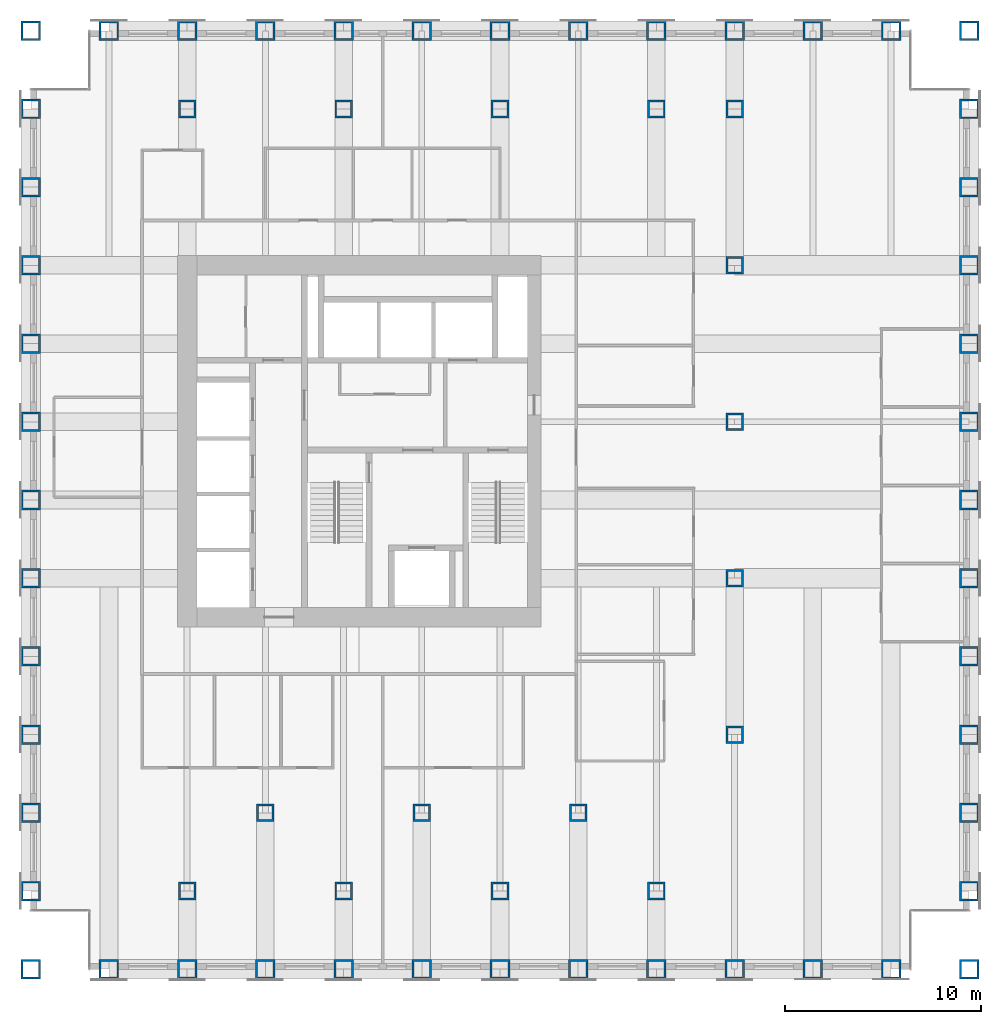
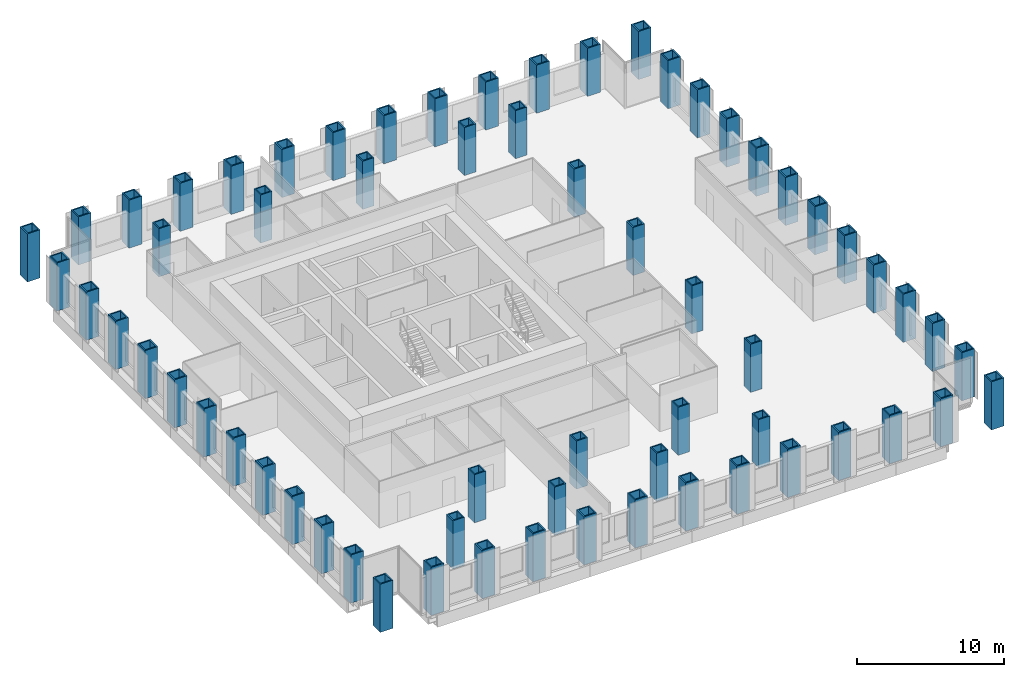
# One storey, part 1 of 16: 64 columns.
"""IFC4 building model written with IfcOpenShell, lengths in metres."""

from ifc_helpers import new_model, si_unit, direction, frame, origin, origin_2d, place, context, subcontext, project, spatial, hollow_rectangle, extrude, material, material_profile, profile_set, type_object, element, save


model = new_model("IFC4")

# Units and contexts
model_context = context("Model", 3, precision=1e-05, world=origin(), true_north=direction((0.0, 1.0)))
body_context = subcontext(model_context, "Body", "Model", "MODEL_VIEW")
ifc_project = project(units=[si_unit("LENGTHUNIT", "METRE"), si_unit("AREAUNIT", "SQUARE_METRE"), si_unit("VOLUMEUNIT", "CUBIC_METRE"), si_unit("PLANEANGLEUNIT", "RADIAN"), si_unit("MASSUNIT", "GRAM", prefix="KILO")], contexts=[model_context])

# Site, building, storey
site_placement = place(None, origin())
site = spatial("IfcSite", under=ifc_project, at=site_placement, CompositionType="ELEMENT")
building_placement = place(site_placement, origin())
building = spatial("IfcBuilding", under=site, at=building_placement, Name="Rimbunsela Tower", CompositionType="ELEMENT")
storey_placement = place(building_placement, frame((0.0, 0.0, 85.39990234375)))
storey = spatial("IfcBuildingStorey", under=building, at=storey_placement, Name="L20", CompositionType="ELEMENT", Elevation=85.39990234375)

# Columns
ifc_material_1 = material(Name="Steel BJ 55 (fy 410 MPa)", Category="steel")
ifc_material_profile_1 = material_profile(ifc_material_1, hollow_rectangle(XDim=1.0, YDim=1.0, WallThickness=0.10009765625, at=origin_2d()), Name="BOX 1000x1000x100")
ifc_profile_set_1 = profile_set([ifc_material_profile_1], Name="Steel BJ 55 (fy 410 MPa)")
column_type_1 = type_object("IfcColumnType", Name="Column BOX 1000x1000x100", PredefinedType="COLUMN", material=ifc_profile_set_1)
for number, where, z_axis, x_axis, name in (
    (1, (10.0, 0.0, 0.0), (0.0, 0.0, 1.0), (1.0, 0.0, 0.0), "Column C1 5/B L20"),
    (2, (10.0, 4.0, 0.0), (0.0, 0.0, 1.0), (1.0, 0.0, 0.0), "Column C1 5/C L20"),
    (3, (10.0, 8.0, 0.0), (0.0, 0.0, 1.0), (1.0, 0.0, 0.0), "Column C1 5/D L20"),
    (4, (10.0, 12.0, 0.0), (0.0, 0.0, 1.0), (1.0, 0.0, 0.0), "Column C1 5/E L20"),
    (5, (10.0, 16.0, 0.0), (0.0, 0.0, 1.0), (1.0, 0.0, 0.0), "Column C1 5/F L20"),
    (6, (10.0, 20.0, 0.0), (0.0, 0.0, 1.0), (1.0, 0.0, 0.0), "Column C1 5/G L20"),
    (7, (10.0, 24.0, 0.0), (0.0, 0.0, 1.0), (1.0, 0.0, 0.0), "Column C1 5/H L20"),
    (8, (10.0, 28.0, 0.0), (0.0, 0.0, 1.0), (1.0, 0.0, 0.0), "Column C1 5/J L20"),
    (9, (10.0, 32.0, 0.0), (0.0, 0.0, 1.0), (1.0, 0.0, 0.0), "Column C1 5/K L20"),
    (10, (10.0, 36.0, 0.0), (0.0, 0.0, 1.0), (1.0, 0.0, 0.0), "Column C1 5/L L20"),
    (11, (10.0, 40.0, 0.0), (0.0, 0.0, 1.0), (1.0, 0.0, 0.0), "Column C1 5/M L20"),
    (12, (10.0, 44.0, 0.0), (0.0, 0.0, 1.0), (1.0, 0.0, 0.0), "Column C1 5/N L20"),
    (13, (10.0, 48.0, 0.0), (0.0, 0.0, 1.0), (1.0, 0.0, 0.0), "Column C1 5/P L20"),
    (14, (14.0, 0.0, 0.0), (0.0, 0.0, 1.0), (1.0, 0.0, 0.0), "Column C1 6/B L20"),
    (15, (14.0, 48.0, 0.0), (0.0, 0.0, 1.0), (1.0, 0.0, 0.0), "Column C1 6/P L20"),
    (16, (18.0, 0.0, 0.0), (0.0, 0.0, 1.0), (1.0, 0.0, 0.0), "Column C1 7/B L20"),
    (17, (18.0, 48.0, 0.0), (0.0, 0.0, 1.0), (1.0, 0.0, 0.0), "Column C1 7/P L20"),
    (18, (22.0, 0.0, 0.0), (0.0, 0.0, 1.0), (1.0, 0.0, 0.0), "Column C1 8/B L20"),
    (19, (22.0, 48.0, 0.0), (0.0, 0.0, 1.0), (1.0, 0.0, 0.0), "Column C1 8/P L20"),
    (20, (26.0, 0.0, 0.0), (0.0, 0.0, 1.0), (1.0, 0.0, 0.0), "Column C1 9/B L20"),
    (21, (26.0, 48.0, 0.0), (0.0, 0.0, 1.0), (1.0, 0.0, 0.0), "Column C1 9/P L20"),
    (22, (30.0, 0.0, 0.0), (0.0, 0.0, 1.0), (1.0, 0.0, 0.0), "Column C1 10/B L20"),
    (23, (30.0, 48.0, 0.0), (0.0, 0.0, 1.0), (1.0, 0.0, 0.0), "Column C1 10/P L20"),
    (24, (34.0, 0.0, 0.0), (0.0, 0.0, 1.0), (1.0, 0.0, 0.0), "Column C1 11/B L20"),
    (25, (34.0, 48.0, 0.0), (0.0, 0.0, 1.0), (1.0, 0.0, 0.0), "Column C1 11/P L20"),
    (26, (38.0, 0.0, 0.0), (0.0, 0.0, 1.0), (1.0, 0.0, 0.0), "Column C1 12/B L20"),
    (27, (38.0, 48.0, 0.0), (0.0, 0.0, 1.0), (1.0, 0.0, 0.0), "Column C1 12/P L20"),
    (28, (42.0, 0.0, 0.0), (0.0, 0.0, 1.0), (1.0, 0.0, 0.0), "Column C1 13/B L20"),
    (29, (42.0, 48.0, 0.0), (0.0, 0.0, 1.0), (1.0, 0.0, 0.0), "Column C1 13/P L20"),
    (30, (46.0, 0.0, 0.0), (0.0, 0.0, 1.0), (1.0, 0.0, 0.0), "Column C1 14/B L20"),
    (31, (46.0, 48.0, 0.0), (0.0, 0.0, 1.0), (1.0, 0.0, 0.0), "Column C1 14/P L20"),
    (32, (50.0, 0.0, 0.0), (0.0, 0.0, 1.0), (1.0, 0.0, 0.0), "Column C1 15/B L20"),
    (33, (50.0, 48.0, 0.0), (0.0, 0.0, 1.0), (1.0, 0.0, 0.0), "Column C1 15/P L20"),
    (34, (54.0, 0.0, 0.0), (0.0, 0.0, 1.0), (1.0, 0.0, 0.0), "Column C1 16/B L20"),
    (35, (54.0, 48.0, 0.0), (0.0, 0.0, 1.0), (1.0, 0.0, 0.0), "Column C1 16/P L20"),
    (36, (58.0, 0.0, 0.0), (0.0, 0.0, 1.0), (1.0, 0.0, 0.0), "Column C1 17/B L20"),
    (37, (58.0, 4.0, 0.0), (0.0, 0.0, 1.0), (1.0, 0.0, 0.0), "Column C1 17/C L20"),
    (38, (58.0, 8.0, 0.0), (0.0, 0.0, 1.0), (1.0, 0.0, 0.0), "Column C1 17/D L20"),
    (39, (58.0, 12.0, 0.0), (0.0, 0.0, 1.0), (1.0, 0.0, 0.0), "Column C1 17/E L20"),
    (40, (58.0, 16.0, 0.0), (0.0, 0.0, 1.0), (1.0, 0.0, 0.0), "Column C1 17/F L20"),
    (41, (58.0, 20.0, 0.0), (0.0, 0.0, 1.0), (1.0, 0.0, 0.0), "Column C1 17/G L20"),
    (42, (58.0, 24.0, 0.0), (0.0, 0.0, 1.0), (1.0, 0.0, 0.0), "Column C1 17/H L20"),
    (43, (58.0, 28.0, 0.0), (0.0, 0.0, 1.0), (1.0, 0.0, 0.0), "Column C1 17/J L20"),
    (44, (58.0, 32.0, 0.0), (0.0, 0.0, 1.0), (1.0, 0.0, 0.0), "Column C1 17/K L20"),
    (45, (58.0, 36.0, 0.0), (0.0, 0.0, 1.0), (1.0, 0.0, 0.0), "Column C1 17/L L20"),
    (46, (58.0, 40.0, 0.0), (0.0, 0.0, 1.0), (1.0, 0.0, 0.0), "Column C1 17/M L20"),
    (47, (58.0, 44.0, 0.0), (0.0, 0.0, 1.0), (1.0, 0.0, 0.0), "Column C1 17/N L20"),
    (48, (58.0, 48.0, 0.0), (0.0, 0.0, 1.0), (1.0, 0.0, 0.0), "Column C1 17/P L20"),
):
    element("IfcColumn", number, at=place(storey_placement, frame(where, z_axis=z_axis, x_axis=x_axis)), inside=storey, type_object=column_type_1, Name=name, PredefinedType="COLUMN", context=body_context, shape_type="SweptSolid", body=[
        extrude(hollow_rectangle(XDim=1.0, YDim=1.0, WallThickness=0.10009765625, at=origin_2d()), origin(), (0.0, 0.0, 1.0), 4.0),
    ])
ifc_material_2 = material(Name="Steel BJ 55 (fy 410 MPa)", Category="steel")
ifc_material_profile_2 = material_profile(ifc_material_2, hollow_rectangle(XDim=0.89990234375, YDim=0.89990234375, WallThickness=0.10009765625, at=origin_2d()), Name="BOX 900x900x100")
ifc_profile_set_2 = profile_set([ifc_material_profile_2], Name="Steel BJ 55 (fy 410 MPa)")
column_type_2 = type_object("IfcColumnType", Name="Column BOX 900x900x100", PredefinedType="COLUMN", material=ifc_profile_set_2)
for number, where, z_axis, x_axis, name in (
    (49, (18.0, 4.0, 0.0), (0.0, 0.0, 1.0), (1.0, 0.0, 0.0), "Column C5 7/C L20"),
    (50, (18.0, 44.0, 0.0), (0.0, 0.0, 1.0), (1.0, 0.0, 0.0), "Column C5 7/N L20"),
    (51, (22.0, 8.0, 0.0), (0.0, 0.0, 1.0), (1.0, 0.0, 0.0), "Column C5 8/D L20"),
    (52, (26.0, 4.0, 0.0), (0.0, 0.0, 1.0), (1.0, 0.0, 0.0), "Column C5 9/C L20"),
    (53, (26.0, 44.0, 0.0), (0.0, 0.0, 1.0), (1.0, 0.0, 0.0), "Column C5 9/N L20"),
    (54, (30.0, 8.0, 0.0), (0.0, 0.0, 1.0), (1.0, 0.0, 0.0), "Column C5 10/D L20"),
    (55, (34.0, 4.0, 0.0), (0.0, 0.0, 1.0), (1.0, 0.0, 0.0), "Column C5 11/C L20"),
    (56, (34.0, 44.0, 0.0), (0.0, 0.0, 1.0), (1.0, 0.0, 0.0), "Column C5 11/N L20"),
    (57, (38.0, 8.0, 0.0), (0.0, 0.0, 1.0), (1.0, 0.0, 0.0), "Column C5 12/D L20"),
    (58, (42.0, 4.0, 0.0), (0.0, 0.0, 1.0), (1.0, 0.0, 0.0), "Column C5 13/C L20"),
    (59, (42.0, 44.0, 0.0), (0.0, 0.0, 1.0), (1.0, 0.0, 0.0), "Column C5 13/N L20"),
    (60, (46.0, 12.0, 0.0), (0.0, 0.0, 1.0), (1.0, 0.0, 0.0), "Column C5 14/E L20"),
    (61, (46.0, 20.0, 0.0), (0.0, 0.0, 1.0), (1.0, 0.0, 0.0), "Column C5 14/G L20"),
    (62, (46.0, 28.0, 0.0), (0.0, 0.0, 1.0), (1.0, 0.0, 0.0), "Column C5 14/J L20"),
    (63, (46.0, 36.0, 0.0), (0.0, 0.0, 1.0), (1.0, 0.0, 0.0), "Column C5 14/L L20"),
    (64, (46.0, 44.0, 0.0), (0.0, 0.0, 1.0), (1.0, 0.0, 0.0), "Column C5 14/N L20"),
):
    element("IfcColumn", number, at=place(storey_placement, frame(where, z_axis=z_axis, x_axis=x_axis)), inside=storey, type_object=column_type_2, Name=name, PredefinedType="COLUMN", context=body_context, shape_type="SweptSolid", body=[
        extrude(hollow_rectangle(XDim=0.89990234375, YDim=0.89990234375, WallThickness=0.10009765625, at=origin_2d()), origin(), (0.0, 0.0, 1.0), 4.0),
    ])

save(model, "model.ifc")
